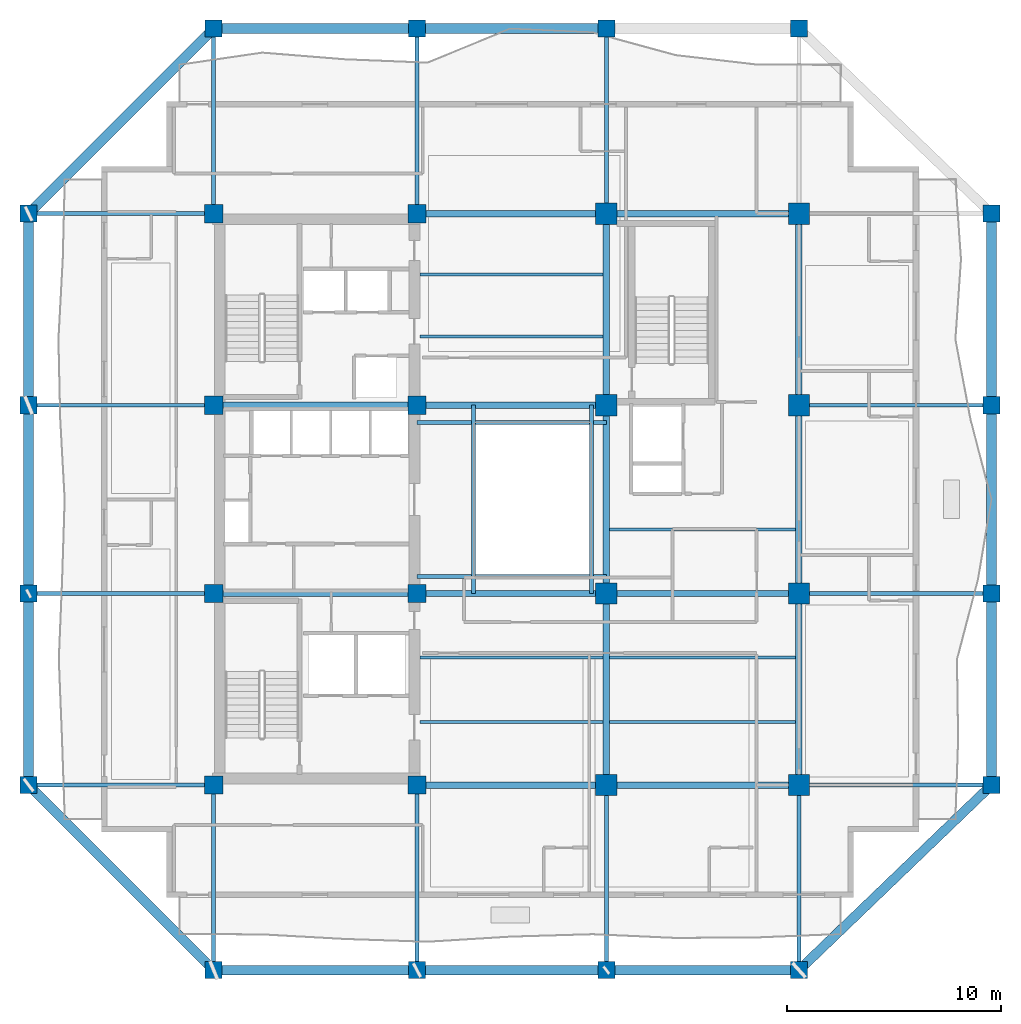
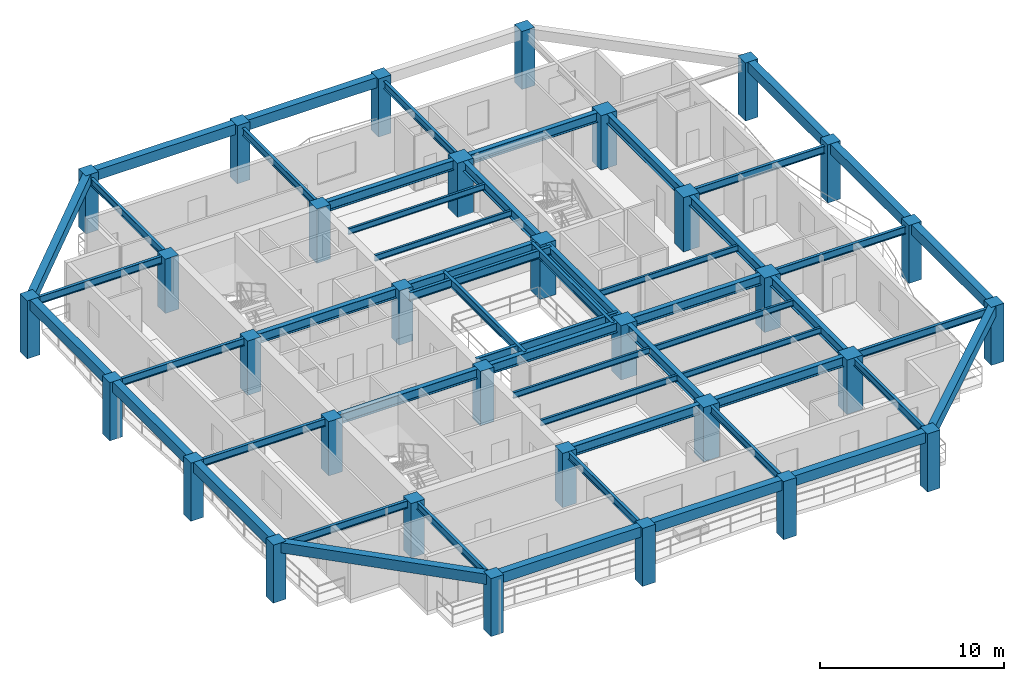
# One storey, part 1 of 11: 54 beams, 32 columns.
"""IFC4 building model written with IfcOpenShell, lengths in metres."""

from ifc_helpers import new_model, si_unit, direction, frame, origin, origin_2d, place, context, subcontext, project, spatial, rectangle, i_section, extrude, material, material_profile, profile_set, type_object, element, save


model = new_model("IFC4")

# Units and contexts
model_context = context("Model", 3, precision=1e-05, world=origin(), true_north=direction((0.0, 1.0)))
body_context = subcontext(model_context, "Body", "Model", "MODEL_VIEW")
ifc_project = project(units=[si_unit("LENGTHUNIT", "METRE"), si_unit("AREAUNIT", "SQUARE_METRE"), si_unit("VOLUMEUNIT", "CUBIC_METRE"), si_unit("PLANEANGLEUNIT", "RADIAN"), si_unit("MASSUNIT", "GRAM", prefix="KILO")], contexts=[model_context])

# Site, building, storey
site_placement = place(None, origin())
site = spatial("IfcSite", under=ifc_project, at=site_placement, CompositionType="ELEMENT")
building_placement = place(site_placement, origin())
building = spatial("IfcBuilding", under=site, at=building_placement, Name="Kundavana Baori Tower", CompositionType="ELEMENT")
storey_placement = place(building_placement, frame((0.0, 0.0, 123.25)))
storey = spatial("IfcBuildingStorey", under=building, at=storey_placement, Name="L29", CompositionType="ELEMENT", Elevation=123.25)

# Columns
ifc_material_1 = material(Name="Concrete C50/60", Category="concrete")
ifc_material_profile_1 = material_profile(ifc_material_1, rectangle(XDim=0.800048828125, YDim=0.800048828125, at=origin_2d()), Name="RC PF 800x800")
ifc_profile_set_1 = profile_set([ifc_material_profile_1], Name="Concrete C50/60")
column_type_1 = type_object("IfcColumnType", Name="COL-PF-800", PredefinedType="COLUMN", material=ifc_profile_set_1)
for number, where, z_axis, x_axis, name in (
    (1, (15.449951171875, 6.60009765625, 0.0), (0.0, 0.0, 1.0), (1.0, 0.0, 0.0), "L29 Stone-Clad Perimeter Frame Column PF-S1"),
    (2, (15.449951171875, 50.60009765625, 0.0), (0.0, 0.0, 1.0), (1.0, 0.0, 0.0), "L29 Stone-Clad Perimeter Frame Column PF-N1"),
    (3, (24.949951171875, 6.60009765625, 0.0), (0.0, 0.0, 1.0), (1.0, 0.0, 0.0), "L29 Stone-Clad Perimeter Frame Column PF-S2"),
    (4, (24.949951171875, 50.60009765625, 0.0), (0.0, 0.0, 1.0), (1.0, 0.0, 0.0), "L29 Stone-Clad Perimeter Frame Column PF-N2"),
    (5, (33.800048828125, 6.60009765625, 0.0), (0.0, 0.0, 1.0), (1.0, 0.0, 0.0), "L29 Stone-Clad Perimeter Frame Column PF-S3"),
    (6, (33.800048828125, 50.60009765625, 0.0), (0.0, 0.0, 1.0), (1.0, 0.0, 0.0), "L29 Stone-Clad Perimeter Frame Column PF-N3"),
    (7, (42.800048828125, 6.60009765625, 0.0), (0.0, 0.0, 1.0), (1.0, 0.0, 0.0), "L29 Stone-Clad Perimeter Frame Column PF-S4"),
    (8, (42.800048828125, 50.60009765625, 0.0), (0.0, 0.0, 1.0), (1.0, 0.0, 0.0), "L29 Stone-Clad Perimeter Frame Column PF-N4"),
    (9, (6.800048828125, 15.25, 0.0), (0.0, 0.0, 1.0), (1.0, 0.0, 0.0), "L29 Stone-Clad Perimeter Frame Column PF-W1"),
    (10, (51.800048828125, 15.25, 0.0), (0.0, 0.0, 1.0), (1.0, 0.0, 0.0), "L29 Stone-Clad Perimeter Frame Column PF-E1"),
    (11, (6.800048828125, 24.199951171875, 0.0), (0.0, 0.0, 1.0), (1.0, 0.0, 0.0), "L29 Stone-Clad Perimeter Frame Column PF-W2"),
    (12, (51.800048828125, 24.199951171875, 0.0), (0.0, 0.0, 1.0), (1.0, 0.0, 0.0), "L29 Stone-Clad Perimeter Frame Column PF-E2"),
    (13, (6.800048828125, 33.0, 0.0), (0.0, 0.0, 1.0), (1.0, 0.0, 0.0), "L29 Stone-Clad Perimeter Frame Column PF-W3"),
    (14, (51.800048828125, 33.0, 0.0), (0.0, 0.0, 1.0), (1.0, 0.0, 0.0), "L29 Stone-Clad Perimeter Frame Column PF-E3"),
    (15, (6.800048828125, 41.949951171875, 0.0), (0.0, 0.0, 1.0), (1.0, 0.0, 0.0), "L29 Stone-Clad Perimeter Frame Column PF-W4"),
    (16, (51.800048828125, 41.949951171875, 0.0), (0.0, 0.0, 1.0), (1.0, 0.0, 0.0), "L29 Stone-Clad Perimeter Frame Column PF-E4"),
):
    element("IfcColumn", number, at=place(storey_placement, frame(where, z_axis=z_axis, x_axis=x_axis)), inside=storey, type_object=column_type_1, Name=name, PredefinedType="COLUMN", context=body_context, shape_type="SweptSolid", body=[
        extrude(rectangle(XDim=0.800048828125, YDim=0.800048828125, at=origin_2d()), origin(), (0.0, 0.0, 1.0), 3.85009765625),
    ])
ifc_material_2 = material(Name="Concrete C50/60", Category="concrete")
ifc_material_profile_2 = material_profile(ifc_material_2, rectangle(XDim=1.0, YDim=1.0, at=origin_2d()), Name="RC 1000x1000")
ifc_profile_set_2 = profile_set([ifc_material_profile_2], Name="Concrete C50/60")
column_type_2 = type_object("IfcColumnType", Name="COL-RC-1000", PredefinedType="COLUMN", material=ifc_profile_set_2)
for number, where, z_axis, x_axis, name in (
    (17, (33.800048828125, 15.25, 0.0), (0.0, 0.0, 1.0), (1.0, 0.0, 0.0), "L29 Interior Column IC-5C"),
    (18, (33.800048828125, 24.199951171875, 0.0), (0.0, 0.0, 1.0), (1.0, 0.0, 0.0), "L29 Interior Column IC-5D"),
    (19, (33.800048828125, 33.0, 0.0), (0.0, 0.0, 1.0), (1.0, 0.0, 0.0), "L29 Interior Column IC-5E"),
    (20, (33.800048828125, 41.949951171875, 0.0), (0.0, 0.0, 1.0), (1.0, 0.0, 0.0), "L29 Interior Column IC-5F"),
    (21, (42.800048828125, 15.25, 0.0), (0.0, 0.0, 1.0), (1.0, 0.0, 0.0), "L29 Interior Column IC-6C"),
    (22, (42.800048828125, 24.199951171875, 0.0), (0.0, 0.0, 1.0), (1.0, 0.0, 0.0), "L29 Interior Column IC-6D"),
    (23, (42.800048828125, 33.0, 0.0), (0.0, 0.0, 1.0), (1.0, 0.0, 0.0), "L29 Interior Column IC-6E"),
    (24, (42.800048828125, 41.949951171875, 0.0), (0.0, 0.0, 1.0), (1.0, 0.0, 0.0), "L29 Interior Column IC-6F"),
):
    element("IfcColumn", number, at=place(storey_placement, frame(where, z_axis=z_axis, x_axis=x_axis)), inside=storey, type_object=column_type_2, Name=name, PredefinedType="COLUMN", context=body_context, shape_type="SweptSolid", body=[
        extrude(rectangle(XDim=1.0, YDim=1.0, at=origin_2d()), origin(), (0.0, 0.0, 1.0), 3.60009765625),
    ])
ifc_material_3 = material(Name="Concrete C50/60", Category="concrete")
ifc_material_profile_3 = material_profile(ifc_material_3, rectangle(XDim=0.85009765625, YDim=0.85009765625, at=origin_2d()), Name="RC 850x850")
ifc_profile_set_3 = profile_set([ifc_material_profile_3], Name="Concrete C50/60")
column_type_3 = type_object("IfcColumnType", Name="COL-RC-850", PredefinedType="COLUMN", material=ifc_profile_set_3)
for number, where, z_axis, x_axis, name in (
    (25, (15.449951171875, 15.25, 0.0), (0.0, 0.0, 1.0), (1.0, 0.0, 0.0), "L29 Interior Column IC-3C"),
    (26, (15.449951171875, 24.199951171875, 0.0), (0.0, 0.0, 1.0), (1.0, 0.0, 0.0), "L29 Interior Column IC-3D"),
    (27, (15.449951171875, 33.0, 0.0), (0.0, 0.0, 1.0), (1.0, 0.0, 0.0), "L29 Interior Column IC-3E"),
    (28, (15.449951171875, 41.949951171875, 0.0), (0.0, 0.0, 1.0), (1.0, 0.0, 0.0), "L29 Interior Column IC-3F"),
    (29, (24.949951171875, 15.25, 0.0), (0.0, 0.0, 1.0), (1.0, 0.0, 0.0), "L29 Interior Column IC-4C"),
    (30, (24.949951171875, 24.199951171875, 0.0), (0.0, 0.0, 1.0), (1.0, 0.0, 0.0), "L29 Interior Column IC-4D"),
    (31, (24.949951171875, 33.0, 0.0), (0.0, 0.0, 1.0), (1.0, 0.0, 0.0), "L29 Interior Column IC-4E"),
    (32, (24.949951171875, 41.949951171875, 0.0), (0.0, 0.0, 1.0), (1.0, 0.0, 0.0), "L29 Interior Column IC-4F"),
):
    element("IfcColumn", number, at=place(storey_placement, frame(where, z_axis=z_axis, x_axis=x_axis)), inside=storey, type_object=column_type_3, Name=name, PredefinedType="COLUMN", context=body_context, shape_type="SweptSolid", body=[
        extrude(rectangle(XDim=0.85009765625, YDim=0.85009765625, at=origin_2d()), origin(), (0.0, 0.0, 1.0), 3.60009765625),
    ])

# Beams
ifc_material_4 = material(Name="Structural Steel S355JR", Category="steel")
ifc_material_profile_4 = material_profile(ifc_material_4, i_section(OverallWidth=0.139892578125, OverallDepth=0.39990234375, WebThickness=0.0087890625, FlangeThickness=0.01611328125, FilletRadius=0.013916015625, at=origin_2d()), Name="ISMB 400")
ifc_profile_set_4 = profile_set([ifc_material_profile_4], Name="Structural Steel S355JR")
beam_type_1 = type_object("IfcBeamType", Name="BM-JST-400", PredefinedType="JOIST", material=ifc_profile_set_4)
for number, where, z_axis, x_axis, name in (
    (33, (25.080078125, 18.199951171875, 3.39990234375), (1.0, 0.0, 0.0), (0.0, 1.0, 0.0), "L29 Central Bay Composite Floor Joist C1"),
    (34, (25.080078125, 21.199951171875, 3.39990234375), (1.0, 0.0, 0.0), (0.0, 1.0, 0.0), "L29 Central Bay Composite Floor Joist C2"),
    (35, (25.080078125, 36.199951171875, 3.39990234375), (1.0, 0.0, 0.0), (0.0, 1.0, 0.0), "L29 Central Bay Composite Floor Joist C3"),
    (36, (25.080078125, 39.10009765625, 3.39990234375), (1.0, 0.0, 0.0), (0.0, 1.0, 0.0), "L29 Central Bay Composite Floor Joist C4"),
):
    element("IfcBeam", number, at=place(storey_placement, frame(where, z_axis=z_axis, x_axis=x_axis)), inside=storey, type_object=beam_type_1, Name=name, PredefinedType="JOIST", context=body_context, shape_type="SweptSolid", body=[
        extrude(i_section(OverallWidth=0.139892578125, OverallDepth=0.39990234375, WebThickness=0.0087890625, FlangeThickness=0.01611328125, FilletRadius=0.013916015625, at=origin_2d()), origin(), (0.0, 0.0, 1.0), 8.56982421875),
    ])
for number, where, z_axis, x_axis, name in (
    (37, (33.949951171875, 18.199951171875, 3.39990234375), (1.0, 0.0, 0.0), (0.0, 1.0, 0.0), "L29 East Bay Composite Floor Joist E1"),
    (38, (33.949951171875, 21.199951171875, 3.39990234375), (1.0, 0.0, 0.0), (0.0, 1.0, 0.0), "L29 East Bay Composite Floor Joist E2"),
    (39, (33.949951171875, 27.199951171875, 3.39990234375), (1.0, 0.0, 0.0), (0.0, 1.0, 0.0), "L29 East Bay Composite Floor Joist E3"),
):
    element("IfcBeam", number, at=place(storey_placement, frame(where, z_axis=z_axis, x_axis=x_axis)), inside=storey, type_object=beam_type_1, Name=name, PredefinedType="JOIST", context=body_context, shape_type="SweptSolid", body=[
        extrude(i_section(OverallWidth=0.139892578125, OverallDepth=0.39990234375, WebThickness=0.0087890625, FlangeThickness=0.01611328125, FilletRadius=0.013916015625, at=origin_2d()), origin(), (0.0, 0.0, 1.0), 8.699951171875),
    ])
ifc_material_5 = material(Name="Concrete C50/60", Category="concrete")
ifc_material_profile_5 = material_profile(ifc_material_5, rectangle(XDim=0.449951171875, YDim=0.679931640625, at=origin_2d()), Name="RC BM 450x680")
ifc_profile_set_5 = profile_set([ifc_material_profile_5], Name="Concrete C50/60")
beam_type_2 = type_object("IfcBeamType", Name="BM-PF-680", PredefinedType="SPANDREL", material=ifc_profile_set_5)
beam_1_placement = place(storey_placement, frame((15.449951171875, 6.60009765625, 3.510009765625), z_axis=(1.0, 0.0, 0.0), x_axis=(0.0, 1.0, 0.0)))
element("IfcBeam", 40, at=beam_1_placement, inside=storey, type_object=beam_type_2, Name="L29 Perimeter Frame Ring Beam S1", PredefinedType="SPANDREL", context=body_context, shape_type="SweptSolid", body=[
    extrude(rectangle(XDim=0.449951171875, YDim=0.679931640625, at=origin_2d()), origin(), (0.0, 0.0, 1.0), 9.5),
])
beam_2_placement = place(storey_placement, frame((24.949951171875, 6.60009765625, 3.510009765625), z_axis=(1.0, 0.0, 0.0), x_axis=(0.0, 1.0, 0.0)))
element("IfcBeam", 41, at=beam_2_placement, inside=storey, type_object=beam_type_2, Name="L29 Perimeter Frame Ring Beam S2", PredefinedType="SPANDREL", context=body_context, shape_type="SweptSolid", body=[
    extrude(rectangle(XDim=0.449951171875, YDim=0.679931640625, at=origin_2d()), origin(), (0.0, 0.0, 1.0), 8.85009765625),
])
beam_3_placement = place(storey_placement, frame((33.800048828125, 6.60009765625, 3.510009765625), z_axis=(1.0, 0.0, 0.0), x_axis=(0.0, 1.0, 0.0)))
element("IfcBeam", 42, at=beam_3_placement, inside=storey, type_object=beam_type_2, Name="L29 Perimeter Frame Ring Beam S3", PredefinedType="SPANDREL", context=body_context, shape_type="SweptSolid", body=[
    extrude(rectangle(XDim=0.449951171875, YDim=0.679931640625, at=origin_2d()), origin(), (0.0, 0.0, 1.0), 9.0),
])
beam_4_placement = place(storey_placement, frame((15.449951171875, 50.60009765625, 3.510009765625), z_axis=(1.0, 0.0, 0.0), x_axis=(0.0, 1.0, 0.0)))
element("IfcBeam", 43, at=beam_4_placement, inside=storey, type_object=beam_type_2, Name="L29 Perimeter Frame Ring Beam N1", PredefinedType="SPANDREL", context=body_context, shape_type="SweptSolid", body=[
    extrude(rectangle(XDim=0.449951171875, YDim=0.679931640625, at=origin_2d()), origin(), (0.0, 0.0, 1.0), 9.5),
])
beam_5_placement = place(storey_placement, frame((24.949951171875, 50.60009765625, 3.510009765625), z_axis=(1.0, 0.0, 0.0), x_axis=(0.0, 1.0, 0.0)))
element("IfcBeam", 44, at=beam_5_placement, inside=storey, type_object=beam_type_2, Name="L29 Perimeter Frame Ring Beam N2", PredefinedType="SPANDREL", context=body_context, shape_type="SweptSolid", body=[
    extrude(rectangle(XDim=0.449951171875, YDim=0.679931640625, at=origin_2d()), origin(), (0.0, 0.0, 1.0), 8.85009765625),
])
beam_6_placement = place(storey_placement, frame((6.800048828125, 15.25, 3.510009765625), z_axis=(0.0, 1.0, 0.0), x_axis=(-1.0, 0.0, 0.0)))
element("IfcBeam", 45, at=beam_6_placement, inside=storey, type_object=beam_type_2, Name="L29 Perimeter Frame Ring Beam W1", PredefinedType="SPANDREL", context=body_context, shape_type="SweptSolid", body=[
    extrude(rectangle(XDim=0.449951171875, YDim=0.679931640625, at=origin_2d()), origin(), (0.0, 0.0, 1.0), 8.949951171875),
])
beam_7_placement = place(storey_placement, frame((6.800048828125, 24.199951171875, 3.510009765625), z_axis=(0.0, 1.0, 0.0), x_axis=(-1.0, 0.0, 0.0)))
element("IfcBeam", 46, at=beam_7_placement, inside=storey, type_object=beam_type_2, Name="L29 Perimeter Frame Ring Beam W2", PredefinedType="SPANDREL", context=body_context, shape_type="SweptSolid", body=[
    extrude(rectangle(XDim=0.449951171875, YDim=0.679931640625, at=origin_2d()), origin(), (0.0, 0.0, 1.0), 8.800048828125),
])
for number, where, z_axis, x_axis, name in (
    (47, (6.800048828125, 33.0, 3.510009765625), (0.0, 1.0, 0.0), (-1.0, 0.0, 0.0), "L29 Perimeter Frame Ring Beam W3"),
    (48, (51.800048828125, 15.25, 3.510009765625), (0.0, 1.0, 0.0), (-1.0, 0.0, 0.0), "L29 Perimeter Frame Ring Beam E1"),
):
    element("IfcBeam", number, at=place(storey_placement, frame(where, z_axis=z_axis, x_axis=x_axis)), inside=storey, type_object=beam_type_2, Name=name, PredefinedType="SPANDREL", context=body_context, shape_type="SweptSolid", body=[
        extrude(rectangle(XDim=0.449951171875, YDim=0.679931640625, at=origin_2d()), origin(), (0.0, 0.0, 1.0), 8.949951171875),
    ])
beam_8_placement = place(storey_placement, frame((51.800048828125, 24.199951171875, 3.510009765625), z_axis=(0.0, 1.0, 0.0), x_axis=(-1.0, 0.0, 0.0)))
element("IfcBeam", 49, at=beam_8_placement, inside=storey, type_object=beam_type_2, Name="L29 Perimeter Frame Ring Beam E2", PredefinedType="SPANDREL", context=body_context, shape_type="SweptSolid", body=[
    extrude(rectangle(XDim=0.449951171875, YDim=0.679931640625, at=origin_2d()), origin(), (0.0, 0.0, 1.0), 8.800048828125),
])
beam_9_placement = place(storey_placement, frame((51.800048828125, 33.0, 3.510009765625), z_axis=(0.0, 1.0, 0.0), x_axis=(-1.0, 0.0, 0.0)))
element("IfcBeam", 50, at=beam_9_placement, inside=storey, type_object=beam_type_2, Name="L29 Perimeter Frame Ring Beam E3", PredefinedType="SPANDREL", context=body_context, shape_type="SweptSolid", body=[
    extrude(rectangle(XDim=0.449951171875, YDim=0.679931640625, at=origin_2d()), origin(), (0.0, 0.0, 1.0), 8.949951171875),
])
beam_10_placement = place(storey_placement, frame((15.449951171875, 6.60009765625, 3.510009765625), z_axis=(-0.707106781187, 0.707106781187, 0.0), x_axis=(-0.707106781187, -0.707106781187, 0.0)))
element("IfcBeam", 51, at=beam_10_placement, inside=storey, type_object=beam_type_2, Name="L29 Notched Corner Perimeter Beam SW", PredefinedType="SPANDREL", context=body_context, shape_type="SweptSolid", body=[
    extrude(rectangle(XDim=0.449951171875, YDim=0.679931640625, at=origin_2d()), origin(), (0.0, 0.0, 1.0), 12.23291015625),
])
beam_11_placement = place(storey_placement, frame((42.800048828125, 6.60009765625, 3.510009765625), z_axis=(0.720990894297, 0.692944536266, 0.0), x_axis=(-0.692944536266, 0.720990894297, 0.0)))
element("IfcBeam", 52, at=beam_11_placement, inside=storey, type_object=beam_type_2, Name="L29 Notched Corner Perimeter Beam SE", PredefinedType="SPANDREL", context=body_context, shape_type="SweptSolid", body=[
    extrude(rectangle(XDim=0.449951171875, YDim=0.679931640625, at=origin_2d()), origin(), (0.0, 0.0, 1.0), 12.48291015625),
])
beam_12_placement = place(storey_placement, frame((15.449951171875, 50.60009765625, 3.510009765625), z_axis=(-0.70709680233, -0.707116759903, 0.0), x_axis=(0.707116759903, -0.70709680233, 0.0)))
element("IfcBeam", 53, at=beam_12_placement, inside=storey, type_object=beam_type_2, Name="L29 Notched Corner Perimeter Beam NW", PredefinedType="SPANDREL", context=body_context, shape_type="SweptSolid", body=[
    extrude(rectangle(XDim=0.449951171875, YDim=0.679931640625, at=origin_2d()), origin(), (0.0, 0.0, 1.0), 12.23291015625),
])
ifc_material_6 = material(Name="Structural Steel S355JR", Category="steel")
ifc_material_profile_6 = material_profile(ifc_material_6, i_section(OverallWidth=0.18994140625, OverallDepth=0.550048828125, WebThickness=0.01123046875, FlangeThickness=0.019287109375, FilletRadius=0.01806640625, at=origin_2d()), Name="ISMB 550")
ifc_profile_set_6 = profile_set([ifc_material_profile_6], Name="Structural Steel S355JR")
beam_type_3 = type_object("IfcBeamType", Name="BM-ST-550", PredefinedType="BEAM", material=ifc_profile_set_6)
for number, where, z_axis, x_axis, name in (
    (54, (27.60009765625, 24.199951171875, 3.324951171875), (0.0, 1.0, 0.0), (-1.0, 0.0, 0.0), "L29 Atrium West Edge Beam"),
    (55, (33.10009765625, 24.199951171875, 3.324951171875), (0.0, 1.0, 0.0), (-1.0, 0.0, 0.0), "L29 Atrium East Edge Beam"),
):
    element("IfcBeam", number, at=place(storey_placement, frame(where, z_axis=z_axis, x_axis=x_axis)), inside=storey, type_object=beam_type_3, Name=name, PredefinedType="BEAM", context=body_context, shape_type="SweptSolid", body=[
        extrude(i_section(OverallWidth=0.18994140625, OverallDepth=0.550048828125, WebThickness=0.01123046875, FlangeThickness=0.019287109375, FilletRadius=0.01806640625, at=origin_2d()), origin(), (0.0, 0.0, 1.0), 8.800048828125),
    ])
for number, where, z_axis, x_axis, name in (
    (56, (24.949951171875, 25.0, 3.324951171875), (1.0, 0.0, 0.0), (0.0, 1.0, 0.0), "L29 Atrium South Edge Beam"),
    (57, (24.949951171875, 32.199951171875, 3.324951171875), (1.0, 0.0, 0.0), (0.0, 1.0, 0.0), "L29 Atrium North Edge Beam"),
):
    element("IfcBeam", number, at=place(storey_placement, frame(where, z_axis=z_axis, x_axis=x_axis)), inside=storey, type_object=beam_type_3, Name=name, PredefinedType="BEAM", context=body_context, shape_type="SweptSolid", body=[
        extrude(i_section(OverallWidth=0.18994140625, OverallDepth=0.550048828125, WebThickness=0.01123046875, FlangeThickness=0.019287109375, FilletRadius=0.01806640625, at=origin_2d()), origin(), (0.0, 0.0, 1.0), 8.85009765625),
    ])
ifc_material_7 = material(Name="Structural Steel S355JR", Category="steel")
ifc_material_profile_7 = material_profile(ifc_material_7, i_section(OverallWidth=0.300048828125, OverallDepth=0.64990234375, WebThickness=0.013427734375, FlangeThickness=0.02197265625, FilletRadius=0.02392578125, at=origin_2d()), Name="NPB 650x300x155")
ifc_profile_set_7 = profile_set([ifc_material_profile_7], Name="Structural Steel S355JR")
beam_type_4 = type_object("IfcBeamType", Name="BM-ST-650", PredefinedType="BEAM", material=ifc_profile_set_7)
beam_13_placement = place(storey_placement, frame((24.949951171875, 15.25, 3.27490234375), z_axis=(1.0, 0.0, 0.0), x_axis=(0.0, 1.0, 0.0)))
element("IfcBeam", 58, at=beam_13_placement, inside=storey, type_object=beam_type_4, Name="L29 Primary Grid Girder GX-1-2", PredefinedType="BEAM", context=body_context, shape_type="SweptSolid", body=[
    extrude(i_section(OverallWidth=0.300048828125, OverallDepth=0.64990234375, WebThickness=0.013427734375, FlangeThickness=0.02197265625, FilletRadius=0.02392578125, at=origin_2d()), origin(), (0.0, 0.0, 1.0), 8.85009765625),
])
beam_14_placement = place(storey_placement, frame((33.800048828125, 15.25, 3.27490234375), z_axis=(1.0, 0.0, 0.0), x_axis=(0.0, 1.0, 0.0)))
element("IfcBeam", 59, at=beam_14_placement, inside=storey, type_object=beam_type_4, Name="L29 Primary Grid Girder GX-1-3", PredefinedType="BEAM", context=body_context, shape_type="SweptSolid", body=[
    extrude(i_section(OverallWidth=0.300048828125, OverallDepth=0.64990234375, WebThickness=0.013427734375, FlangeThickness=0.02197265625, FilletRadius=0.02392578125, at=origin_2d()), origin(), (0.0, 0.0, 1.0), 9.0),
])
beam_15_placement = place(storey_placement, frame((15.449951171875, 24.199951171875, 3.27490234375), z_axis=(1.0, 0.0, 0.0), x_axis=(0.0, 1.0, 0.0)))
element("IfcBeam", 60, at=beam_15_placement, inside=storey, type_object=beam_type_4, Name="L29 Primary Grid Girder GX-2-1", PredefinedType="BEAM", context=body_context, shape_type="SweptSolid", body=[
    extrude(i_section(OverallWidth=0.300048828125, OverallDepth=0.64990234375, WebThickness=0.013427734375, FlangeThickness=0.02197265625, FilletRadius=0.02392578125, at=origin_2d()), origin(), (0.0, 0.0, 1.0), 9.5),
])
beam_16_placement = place(storey_placement, frame((24.949951171875, 24.199951171875, 3.27490234375), z_axis=(1.0, 0.0, 0.0), x_axis=(0.0, 1.0, 0.0)))
element("IfcBeam", 61, at=beam_16_placement, inside=storey, type_object=beam_type_4, Name="L29 Primary Grid Girder GX-2-2", PredefinedType="BEAM", context=body_context, shape_type="SweptSolid", body=[
    extrude(i_section(OverallWidth=0.300048828125, OverallDepth=0.64990234375, WebThickness=0.013427734375, FlangeThickness=0.02197265625, FilletRadius=0.02392578125, at=origin_2d()), origin(), (0.0, 0.0, 1.0), 8.85009765625),
])
beam_17_placement = place(storey_placement, frame((33.800048828125, 24.199951171875, 3.27490234375), z_axis=(1.0, 0.0, 0.0), x_axis=(0.0, 1.0, 0.0)))
element("IfcBeam", 62, at=beam_17_placement, inside=storey, type_object=beam_type_4, Name="L29 Primary Grid Girder GX-2-3", PredefinedType="BEAM", context=body_context, shape_type="SweptSolid", body=[
    extrude(i_section(OverallWidth=0.300048828125, OverallDepth=0.64990234375, WebThickness=0.013427734375, FlangeThickness=0.02197265625, FilletRadius=0.02392578125, at=origin_2d()), origin(), (0.0, 0.0, 1.0), 9.0),
])
beam_18_placement = place(storey_placement, frame((15.449951171875, 33.0, 3.27490234375), z_axis=(1.0, 0.0, 0.0), x_axis=(0.0, 1.0, 0.0)))
element("IfcBeam", 63, at=beam_18_placement, inside=storey, type_object=beam_type_4, Name="L29 Primary Grid Girder GX-3-1", PredefinedType="BEAM", context=body_context, shape_type="SweptSolid", body=[
    extrude(i_section(OverallWidth=0.300048828125, OverallDepth=0.64990234375, WebThickness=0.013427734375, FlangeThickness=0.02197265625, FilletRadius=0.02392578125, at=origin_2d()), origin(), (0.0, 0.0, 1.0), 9.5),
])
for number, where, z_axis, x_axis, name in (
    (64, (24.949951171875, 33.0, 3.27490234375), (1.0, 0.0, 0.0), (0.0, 1.0, 0.0), "L29 Primary Grid Girder GX-3-2"),
    (65, (24.949951171875, 41.949951171875, 3.27490234375), (1.0, 0.0, 0.0), (0.0, 1.0, 0.0), "L29 Primary Grid Girder GX-4-2"),
):
    element("IfcBeam", number, at=place(storey_placement, frame(where, z_axis=z_axis, x_axis=x_axis)), inside=storey, type_object=beam_type_4, Name=name, PredefinedType="BEAM", context=body_context, shape_type="SweptSolid", body=[
        extrude(i_section(OverallWidth=0.300048828125, OverallDepth=0.64990234375, WebThickness=0.013427734375, FlangeThickness=0.02197265625, FilletRadius=0.02392578125, at=origin_2d()), origin(), (0.0, 0.0, 1.0), 8.85009765625),
    ])
beam_19_placement = place(storey_placement, frame((33.800048828125, 41.949951171875, 3.27490234375), z_axis=(1.0, 0.0, 0.0), x_axis=(0.0, 1.0, 0.0)))
element("IfcBeam", 66, at=beam_19_placement, inside=storey, type_object=beam_type_4, Name="L29 Primary Grid Girder GX-4-3", PredefinedType="BEAM", context=body_context, shape_type="SweptSolid", body=[
    extrude(i_section(OverallWidth=0.300048828125, OverallDepth=0.64990234375, WebThickness=0.013427734375, FlangeThickness=0.02197265625, FilletRadius=0.02392578125, at=origin_2d()), origin(), (0.0, 0.0, 1.0), 9.0),
])
beam_20_placement = place(storey_placement, frame((33.800048828125, 15.25, 3.27490234375), z_axis=(0.0, 1.0, 0.0), x_axis=(-1.0, 0.0, 0.0)))
element("IfcBeam", 67, at=beam_20_placement, inside=storey, type_object=beam_type_4, Name="L29 Primary Grid Girder GY-3-1", PredefinedType="BEAM", context=body_context, shape_type="SweptSolid", body=[
    extrude(i_section(OverallWidth=0.300048828125, OverallDepth=0.64990234375, WebThickness=0.013427734375, FlangeThickness=0.02197265625, FilletRadius=0.02392578125, at=origin_2d()), origin(), (0.0, 0.0, 1.0), 8.949951171875),
])
beam_21_placement = place(storey_placement, frame((33.800048828125, 24.199951171875, 3.27490234375), z_axis=(0.0, 1.0, 0.0), x_axis=(-1.0, 0.0, 0.0)))
element("IfcBeam", 68, at=beam_21_placement, inside=storey, type_object=beam_type_4, Name="L29 Primary Grid Girder GY-3-2", PredefinedType="BEAM", context=body_context, shape_type="SweptSolid", body=[
    extrude(i_section(OverallWidth=0.300048828125, OverallDepth=0.64990234375, WebThickness=0.013427734375, FlangeThickness=0.02197265625, FilletRadius=0.02392578125, at=origin_2d()), origin(), (0.0, 0.0, 1.0), 8.800048828125),
])
for number, where, z_axis, x_axis, name in (
    (69, (33.800048828125, 33.0, 3.27490234375), (0.0, 1.0, 0.0), (-1.0, 0.0, 0.0), "L29 Primary Grid Girder GY-3-3"),
    (70, (42.800048828125, 15.25, 3.27490234375), (0.0, 1.0, 0.0), (-1.0, 0.0, 0.0), "L29 Primary Grid Girder GY-4-1"),
):
    element("IfcBeam", number, at=place(storey_placement, frame(where, z_axis=z_axis, x_axis=x_axis)), inside=storey, type_object=beam_type_4, Name=name, PredefinedType="BEAM", context=body_context, shape_type="SweptSolid", body=[
        extrude(i_section(OverallWidth=0.300048828125, OverallDepth=0.64990234375, WebThickness=0.013427734375, FlangeThickness=0.02197265625, FilletRadius=0.02392578125, at=origin_2d()), origin(), (0.0, 0.0, 1.0), 8.949951171875),
    ])
beam_22_placement = place(storey_placement, frame((42.800048828125, 24.199951171875, 3.27490234375), z_axis=(0.0, 1.0, 0.0), x_axis=(-1.0, 0.0, 0.0)))
element("IfcBeam", 71, at=beam_22_placement, inside=storey, type_object=beam_type_4, Name="L29 Primary Grid Girder GY-4-2", PredefinedType="BEAM", context=body_context, shape_type="SweptSolid", body=[
    extrude(i_section(OverallWidth=0.300048828125, OverallDepth=0.64990234375, WebThickness=0.013427734375, FlangeThickness=0.02197265625, FilletRadius=0.02392578125, at=origin_2d()), origin(), (0.0, 0.0, 1.0), 8.800048828125),
])
beam_23_placement = place(storey_placement, frame((42.800048828125, 33.0, 3.27490234375), z_axis=(0.0, 1.0, 0.0), x_axis=(-1.0, 0.0, 0.0)))
element("IfcBeam", 72, at=beam_23_placement, inside=storey, type_object=beam_type_4, Name="L29 Primary Grid Girder GY-4-3", PredefinedType="BEAM", context=body_context, shape_type="SweptSolid", body=[
    extrude(i_section(OverallWidth=0.300048828125, OverallDepth=0.64990234375, WebThickness=0.013427734375, FlangeThickness=0.02197265625, FilletRadius=0.02392578125, at=origin_2d()), origin(), (0.0, 0.0, 1.0), 8.949951171875),
])
ifc_material_8 = material(Name="Structural Steel S355JR", Category="steel")
ifc_material_profile_8 = material_profile(ifc_material_8, i_section(OverallWidth=0.179931640625, OverallDepth=0.5, WebThickness=0.01025390625, FlangeThickness=0.01708984375, FilletRadius=0.01708984375, at=origin_2d()), Name="ISMB 500")
ifc_profile_set_8 = profile_set([ifc_material_profile_8], Name="Structural Steel S355JR")
beam_type_5 = type_object("IfcBeamType", Name="BM-TIE-500", PredefinedType="BEAM", material=ifc_profile_set_8)
beam_24_placement = place(storey_placement, frame((15.449951171875, 15.25, 3.35009765625), z_axis=(0.0, -1.0, 0.0), x_axis=(1.0, 0.0, 0.0)))
element("IfcBeam", 73, at=beam_24_placement, inside=storey, type_object=beam_type_5, Name="L29 South Radial Loggia Tie Beam S1", PredefinedType="BEAM", context=body_context, shape_type="SweptSolid", body=[
    extrude(i_section(OverallWidth=0.179931640625, OverallDepth=0.5, WebThickness=0.01025390625, FlangeThickness=0.01708984375, FilletRadius=0.01708984375, at=origin_2d()), origin(), (0.0, 0.0, 1.0), 8.64990234375),
])
beam_25_placement = place(storey_placement, frame((15.449951171875, 41.949951171875, 3.35009765625), z_axis=(0.0, 1.0, 0.0), x_axis=(-1.0, 0.0, 0.0)))
element("IfcBeam", 74, at=beam_25_placement, inside=storey, type_object=beam_type_5, Name="L29 North Radial Loggia Tie Beam N1", PredefinedType="BEAM", context=body_context, shape_type="SweptSolid", body=[
    extrude(i_section(OverallWidth=0.179931640625, OverallDepth=0.5, WebThickness=0.01025390625, FlangeThickness=0.01708984375, FilletRadius=0.01708984375, at=origin_2d()), origin(), (0.0, 0.0, 1.0), 8.650146484375),
])
beam_26_placement = place(storey_placement, frame((24.949951171875, 15.25, 3.35009765625), z_axis=(0.0, -1.0, 0.0), x_axis=(1.0, 0.0, 0.0)))
element("IfcBeam", 75, at=beam_26_placement, inside=storey, type_object=beam_type_5, Name="L29 South Radial Loggia Tie Beam S2", PredefinedType="BEAM", context=body_context, shape_type="SweptSolid", body=[
    extrude(i_section(OverallWidth=0.179931640625, OverallDepth=0.5, WebThickness=0.01025390625, FlangeThickness=0.01708984375, FilletRadius=0.01708984375, at=origin_2d()), origin(), (0.0, 0.0, 1.0), 8.64990234375),
])
beam_27_placement = place(storey_placement, frame((24.949951171875, 41.949951171875, 3.35009765625), z_axis=(0.0, 1.0, 0.0), x_axis=(-1.0, 0.0, 0.0)))
element("IfcBeam", 76, at=beam_27_placement, inside=storey, type_object=beam_type_5, Name="L29 North Radial Loggia Tie Beam N2", PredefinedType="BEAM", context=body_context, shape_type="SweptSolid", body=[
    extrude(i_section(OverallWidth=0.179931640625, OverallDepth=0.5, WebThickness=0.01025390625, FlangeThickness=0.01708984375, FilletRadius=0.01708984375, at=origin_2d()), origin(), (0.0, 0.0, 1.0), 8.650146484375),
])
beam_28_placement = place(storey_placement, frame((33.800048828125, 15.25, 3.35009765625), z_axis=(0.0, -1.0, 0.0), x_axis=(1.0, 0.0, 0.0)))
element("IfcBeam", 77, at=beam_28_placement, inside=storey, type_object=beam_type_5, Name="L29 South Radial Loggia Tie Beam S3", PredefinedType="BEAM", context=body_context, shape_type="SweptSolid", body=[
    extrude(i_section(OverallWidth=0.179931640625, OverallDepth=0.5, WebThickness=0.01025390625, FlangeThickness=0.01708984375, FilletRadius=0.01708984375, at=origin_2d()), origin(), (0.0, 0.0, 1.0), 8.64990234375),
])
beam_29_placement = place(storey_placement, frame((33.800048828125, 41.949951171875, 3.35009765625), z_axis=(0.0, 1.0, 0.0), x_axis=(-1.0, 0.0, 0.0)))
element("IfcBeam", 78, at=beam_29_placement, inside=storey, type_object=beam_type_5, Name="L29 North Radial Loggia Tie Beam N3", PredefinedType="BEAM", context=body_context, shape_type="SweptSolid", body=[
    extrude(i_section(OverallWidth=0.179931640625, OverallDepth=0.5, WebThickness=0.01025390625, FlangeThickness=0.01708984375, FilletRadius=0.01708984375, at=origin_2d()), origin(), (0.0, 0.0, 1.0), 8.650146484375),
])
for number, where, z_axis, x_axis, name in (
    (79, (42.800048828125, 15.25, 3.35009765625), (0.0, -1.0, 0.0), (1.0, 0.0, 0.0), "L29 South Radial Loggia Tie Beam S4"),
    (80, (15.449951171875, 15.25, 3.35009765625), (-1.0, 0.0, 0.0), (0.0, -1.0, 0.0), "L29 West Radial Loggia Tie Beam W1"),
):
    element("IfcBeam", number, at=place(storey_placement, frame(where, z_axis=z_axis, x_axis=x_axis)), inside=storey, type_object=beam_type_5, Name=name, PredefinedType="BEAM", context=body_context, shape_type="SweptSolid", body=[
        extrude(i_section(OverallWidth=0.179931640625, OverallDepth=0.5, WebThickness=0.01025390625, FlangeThickness=0.01708984375, FilletRadius=0.01708984375, at=origin_2d()), origin(), (0.0, 0.0, 1.0), 8.64990234375),
    ])
beam_30_placement = place(storey_placement, frame((42.800048828125, 15.25, 3.35009765625), z_axis=(1.0, 0.0, 0.0), x_axis=(0.0, 1.0, 0.0)))
element("IfcBeam", 81, at=beam_30_placement, inside=storey, type_object=beam_type_5, Name="L29 East Radial Loggia Tie Beam E1", PredefinedType="BEAM", context=body_context, shape_type="SweptSolid", body=[
    extrude(i_section(OverallWidth=0.179931640625, OverallDepth=0.5, WebThickness=0.01025390625, FlangeThickness=0.01708984375, FilletRadius=0.01708984375, at=origin_2d()), origin(), (0.0, 0.0, 1.0), 9.0),
])
beam_31_placement = place(storey_placement, frame((15.449951171875, 24.199951171875, 3.35009765625), z_axis=(-1.0, 0.0, 0.0), x_axis=(0.0, -1.0, 0.0)))
element("IfcBeam", 82, at=beam_31_placement, inside=storey, type_object=beam_type_5, Name="L29 West Radial Loggia Tie Beam W2", PredefinedType="BEAM", context=body_context, shape_type="SweptSolid", body=[
    extrude(i_section(OverallWidth=0.179931640625, OverallDepth=0.5, WebThickness=0.01025390625, FlangeThickness=0.01708984375, FilletRadius=0.01708984375, at=origin_2d()), origin(), (0.0, 0.0, 1.0), 8.64990234375),
])
beam_32_placement = place(storey_placement, frame((42.800048828125, 24.199951171875, 3.35009765625), z_axis=(1.0, 0.0, 0.0), x_axis=(0.0, 1.0, 0.0)))
element("IfcBeam", 83, at=beam_32_placement, inside=storey, type_object=beam_type_5, Name="L29 East Radial Loggia Tie Beam E2", PredefinedType="BEAM", context=body_context, shape_type="SweptSolid", body=[
    extrude(i_section(OverallWidth=0.179931640625, OverallDepth=0.5, WebThickness=0.01025390625, FlangeThickness=0.01708984375, FilletRadius=0.01708984375, at=origin_2d()), origin(), (0.0, 0.0, 1.0), 9.0),
])
beam_33_placement = place(storey_placement, frame((15.449951171875, 33.0, 3.35009765625), z_axis=(-1.0, 0.0, 0.0), x_axis=(0.0, -1.0, 0.0)))
element("IfcBeam", 84, at=beam_33_placement, inside=storey, type_object=beam_type_5, Name="L29 West Radial Loggia Tie Beam W3", PredefinedType="BEAM", context=body_context, shape_type="SweptSolid", body=[
    extrude(i_section(OverallWidth=0.179931640625, OverallDepth=0.5, WebThickness=0.01025390625, FlangeThickness=0.01708984375, FilletRadius=0.01708984375, at=origin_2d()), origin(), (0.0, 0.0, 1.0), 8.64990234375),
])
beam_34_placement = place(storey_placement, frame((42.800048828125, 33.0, 3.35009765625), z_axis=(1.0, 0.0, 0.0), x_axis=(0.0, 1.0, 0.0)))
element("IfcBeam", 85, at=beam_34_placement, inside=storey, type_object=beam_type_5, Name="L29 East Radial Loggia Tie Beam E3", PredefinedType="BEAM", context=body_context, shape_type="SweptSolid", body=[
    extrude(i_section(OverallWidth=0.179931640625, OverallDepth=0.5, WebThickness=0.01025390625, FlangeThickness=0.01708984375, FilletRadius=0.01708984375, at=origin_2d()), origin(), (0.0, 0.0, 1.0), 9.0),
])
beam_35_placement = place(storey_placement, frame((15.449951171875, 41.949951171875, 3.35009765625), z_axis=(-1.0, 0.0, 0.0), x_axis=(0.0, -1.0, 0.0)))
element("IfcBeam", 86, at=beam_35_placement, inside=storey, type_object=beam_type_5, Name="L29 West Radial Loggia Tie Beam W4", PredefinedType="BEAM", context=body_context, shape_type="SweptSolid", body=[
    extrude(i_section(OverallWidth=0.179931640625, OverallDepth=0.5, WebThickness=0.01025390625, FlangeThickness=0.01708984375, FilletRadius=0.01708984375, at=origin_2d()), origin(), (0.0, 0.0, 1.0), 8.64990234375),
])

save(model, "model.ifc")
